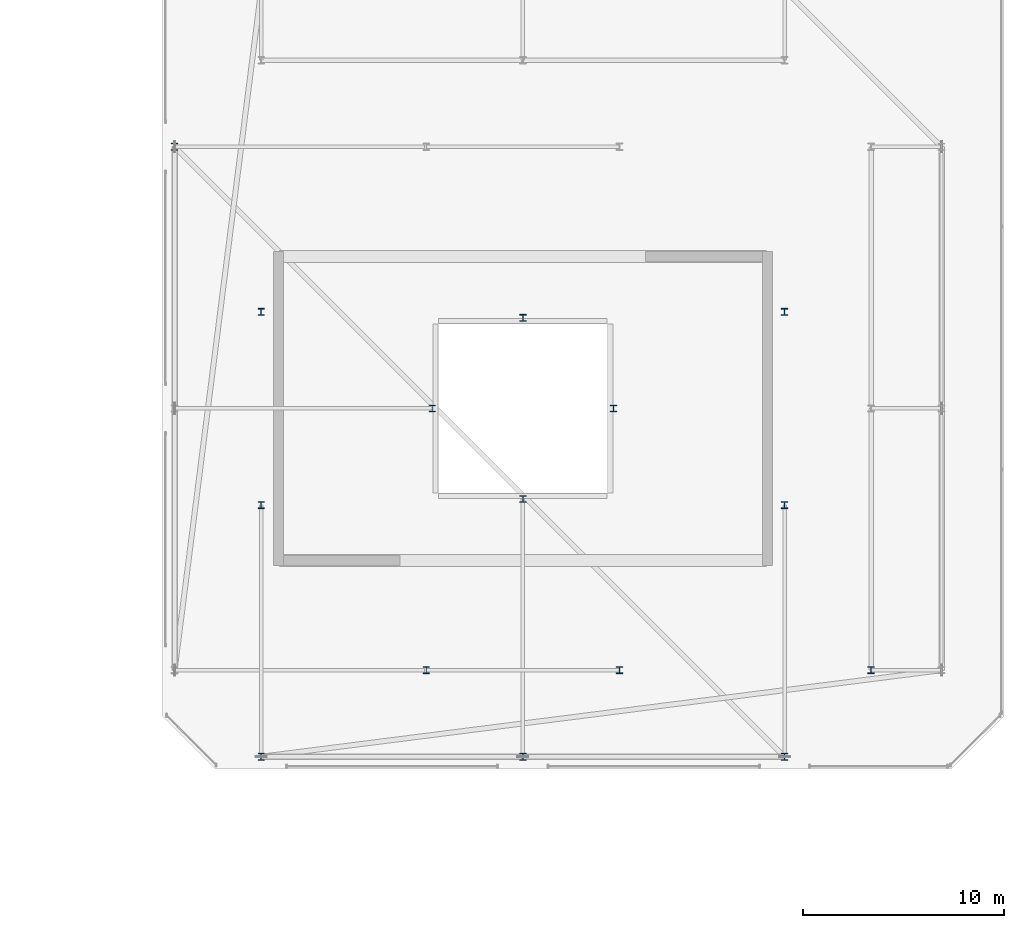
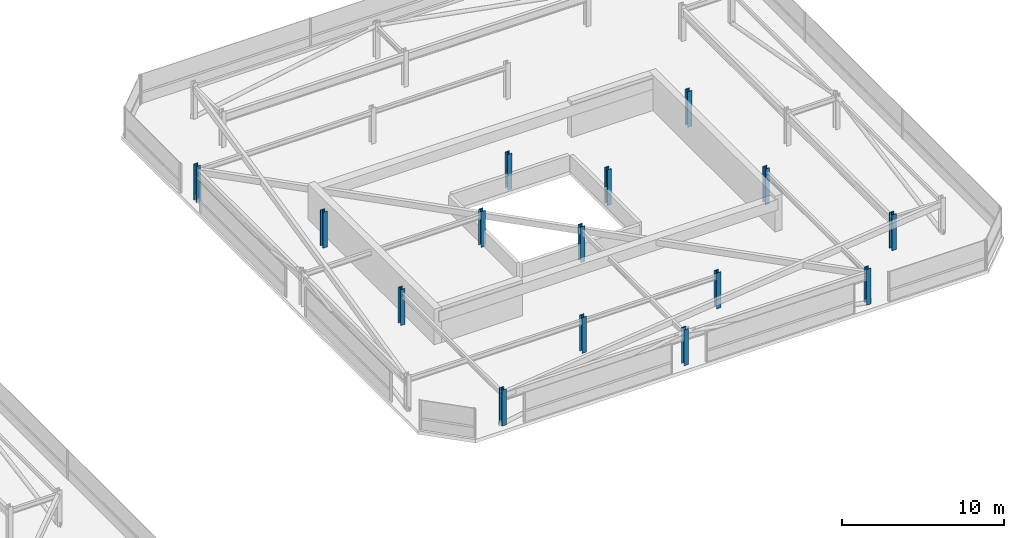
# One storey, part 4 of 42: 15 columns.
"""IFC4 building model written with IfcOpenShell, lengths in metres."""

from ifc_helpers import new_model, si_unit, direction, frame, origin, origin_2d, place, context, subcontext, project, spatial, i_section, extrude, material, material_profile, profile_set, type_object, element, save


model = new_model("IFC4")

# Units and contexts
model_context = context("Model", 3, precision=1e-05, world=origin(), true_north=direction((0.0, 1.0)))
body_context = subcontext(model_context, "Body", "Model", "MODEL_VIEW")
ifc_project = project(units=[si_unit("LENGTHUNIT", "METRE"), si_unit("AREAUNIT", "SQUARE_METRE"), si_unit("VOLUMEUNIT", "CUBIC_METRE"), si_unit("PLANEANGLEUNIT", "RADIAN"), si_unit("MASSUNIT", "GRAM", prefix="KILO")], contexts=[model_context])

# Site, building, storey
site_placement = place(None, origin())
site = spatial("IfcSite", under=ifc_project, at=site_placement, CompositionType="ELEMENT")
building_placement = place(site_placement, origin())
building = spatial("IfcBuilding", under=site, at=building_placement, Name="Thornwick Lancets Civic Towers", CompositionType="ELEMENT")
storey_placement = place(building_placement, frame((0.0, 0.0, 289.5)))
storey = spatial("IfcBuildingStorey", under=building, at=storey_placement, Name="C04", CompositionType="ELEMENT", Elevation=289.5)

# Columns
ifc_material = material(Name="Steel S355JR", Category="steel")
ifc_material_profile = material_profile(ifc_material, i_section(OverallWidth=0.314453125, OverallDepth=0.33984375, WebThickness=0.01904296875, FlangeThickness=0.031494140625, FilletRadius=0.01513671875, at=origin_2d()), Name="UKC 305x305x198")
ifc_profile_set = profile_set([ifc_material_profile], Name="Steel S355JR")
column_type = type_object("IfcColumnType", Name="COL_UKC_198", PredefinedType="COLUMN", material=ifc_profile_set)
for number, where, z_axis, x_axis, name in (
    (1, (105.800048828125, 14.0, 0.0), (0.0, 0.0, 1.0), (1.0, 0.0, 0.0), "C04 Spine Mega-Column B01"),
    (2, (71.199951171875, 40.0, 0.0), (0.0, 0.0, 1.0), (1.0, 0.0, 0.0), "C04 Spine Mega-Column B09"),
    (3, (101.5, 9.699951171875, 0.0), (0.0, 0.0, 1.0), (1.0, 0.0, 0.0), "C04 Spine Mega-Column B10"),
    (4, (88.5, 9.699951171875, 0.0), (0.0, 0.0, 1.0), (1.0, 0.0, 0.0), "C04 Spine Mega-Column B11"),
    (5, (75.5, 9.699951171875, 0.0), (0.0, 0.0, 1.0), (1.0, 0.0, 0.0), "C04 Spine Mega-Column B12"),
    (6, (93.300048828125, 14.0, 0.0), (0.0, 0.0, 1.0), (1.0, 0.0, 0.0), "C04 Spine Mega-Column B13"),
    (7, (83.699951171875, 14.0, 0.0), (0.0, 0.0, 1.0), (1.0, 0.0, 0.0), "C04 Spine Mega-Column B15"),
    (8, (101.5, 22.199951171875, 0.0), (0.0, 0.0, 1.0), (1.0, 0.0, 0.0), "C04 Spine Mega-Column B17"),
    (9, (101.5, 31.800048828125, 0.0), (0.0, 0.0, 1.0), (1.0, 0.0, 0.0), "C04 Spine Mega-Column B18"),
    (10, (75.5, 22.199951171875, 0.0), (0.0, 0.0, 1.0), (1.0, 0.0, 0.0), "C04 Spine Mega-Column B19"),
    (11, (75.5, 31.800048828125, 0.0), (0.0, 0.0, 1.0), (1.0, 0.0, 0.0), "C04 Spine Mega-Column B20"),
    (12, (93.0, 27.0, 0.0), (0.0, 0.0, 1.0), (1.0, 0.0, 0.0), "C04 Spine Mega-Column B21"),
    (13, (84.0, 27.0, 0.0), (0.0, 0.0, 1.0), (1.0, 0.0, 0.0), "C04 Spine Mega-Column B22"),
    (14, (88.5, 22.5, 0.0), (0.0, 0.0, 1.0), (1.0, 0.0, 0.0), "C04 Spine Mega-Column B23"),
    (15, (88.5, 31.5, 0.0), (0.0, 0.0, 1.0), (1.0, 0.0, 0.0), "C04 Spine Mega-Column B24"),
):
    element("IfcColumn", number, at=place(storey_placement, frame(where, z_axis=z_axis, x_axis=x_axis)), inside=storey, type_object=column_type, Name=name, PredefinedType="COLUMN", context=body_context, shape_type="SweptSolid", body=[
        extrude(i_section(OverallWidth=0.314453125, OverallDepth=0.33984375, WebThickness=0.01904296875, FlangeThickness=0.031494140625, FilletRadius=0.01513671875, at=origin_2d()), origin(), (0.0, 0.0, 1.0), 2.699951171875),
    ])

save(model, "model.ifc")
